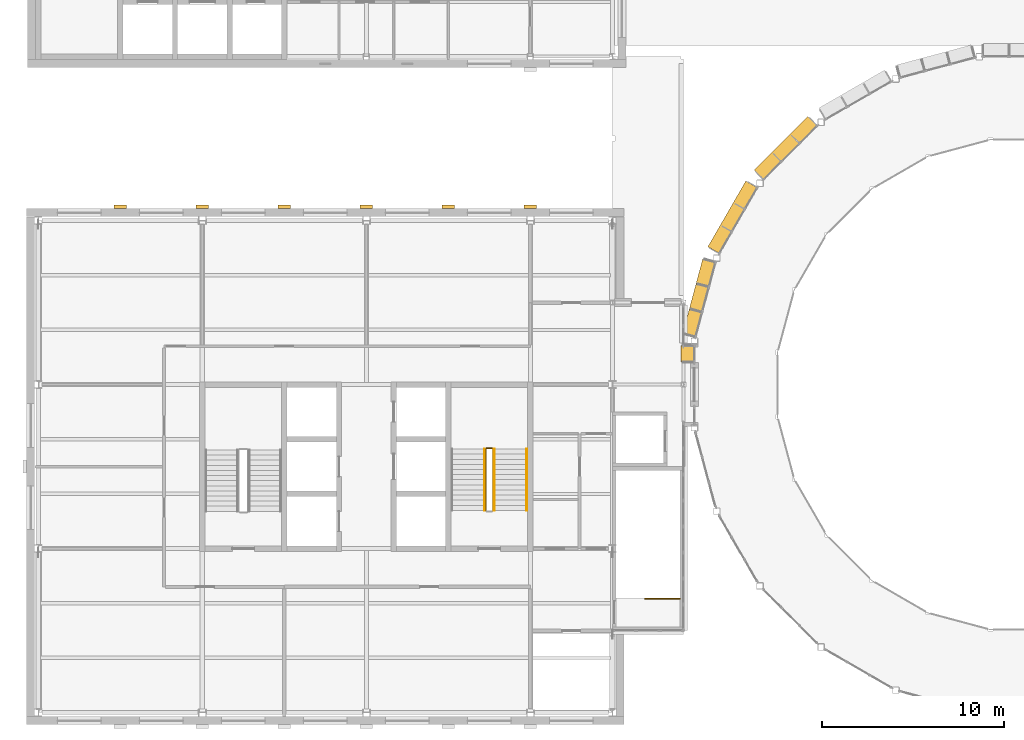
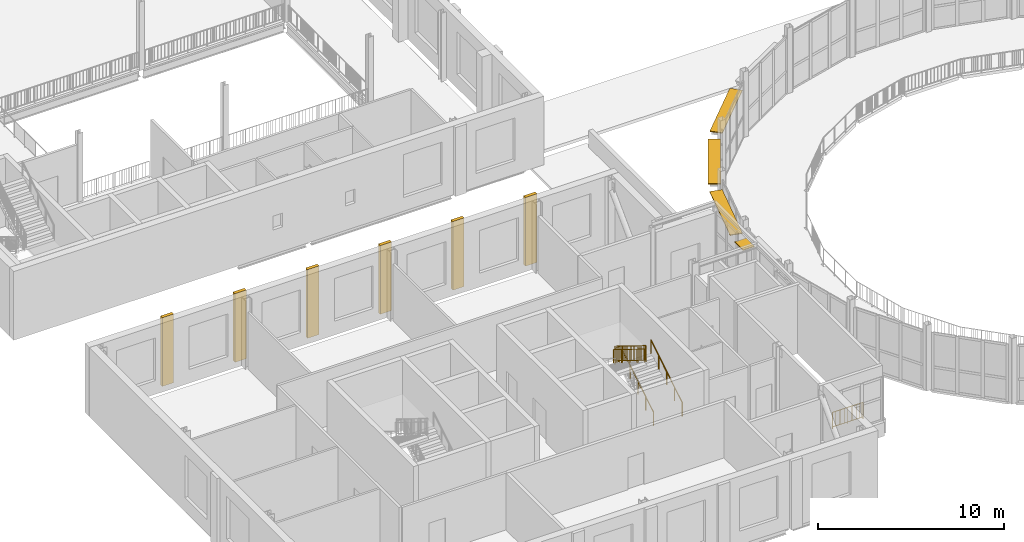
# One storey, part 63 of 74: 6 coverings, 6 railings, 4 shading devices.
"""IFC4 building model written with IfcOpenShell, lengths in metres."""

from ifc_helpers import new_model, si_unit, direction, frame, origin, origin_2d, place, context, subcontext, project, spatial, rectangle, circle, extrude, material, layer, layer_set, type_object, element, save


model = new_model("IFC4")

# Units and contexts
model_context = context("Model", 3, precision=1e-05, world=origin(), true_north=direction((0.0, 1.0)))
body_context = subcontext(model_context, "Body", "Model", "MODEL_VIEW")
ifc_project = project(units=[si_unit("LENGTHUNIT", "METRE"), si_unit("AREAUNIT", "SQUARE_METRE"), si_unit("VOLUMEUNIT", "CUBIC_METRE"), si_unit("PLANEANGLEUNIT", "RADIAN"), si_unit("MASSUNIT", "GRAM", prefix="KILO")], contexts=[model_context])

# Site, building, storey
site_placement = place(None, origin())
site = spatial("IfcSite", under=ifc_project, at=site_placement, CompositionType="ELEMENT")
building_placement = place(site_placement, origin())
building = spatial("IfcBuilding", under=site, at=building_placement, Name="Hortulan Conservatory and Botanical Research Centre", CompositionType="ELEMENT")
storey_placement = place(building_placement, frame((0.0, 0.0, 6.0)))
storey = spatial("IfcBuildingStorey", under=building, at=storey_placement, Name="L01", CompositionType="ELEMENT", Elevation=6.0)

# Shading devices
ifc_material_1 = material(Name="Bronze-finished perforated aluminium", Category="aluminium")
ifc_layer_1 = layer(ifc_material_1, 0.050048828125)
ifc_layer_set_1 = layer_set([ifc_layer_1], Name="Banksia Brise-soleil Blade 700x50")
shading_device_type = type_object("IfcShadingDeviceType", Name="Banksia Brise-soleil Blade 700x50", PredefinedType="USERDEFINED", material=ifc_layer_set_1)
shading_device_1_placement = place(storey_placement, frame((41.00341796875, 30.99658203125, 3.10009765625), z_axis=(0.0, 0.0, 1.0), x_axis=(0.707094439737, 0.70711912242, 0.0)))
element("IfcShadingDevice", 1, at=shading_device_1_placement, inside=storey, type_object=shading_device_type, Name="Banksia brise-soleil blade", ObjectType="Banksia blade", PredefinedType="USERDEFINED", context=body_context, shape_type="SweptSolid", body=[
    extrude(rectangle(XDim=4.1455078125, YDim=0.699951171875, at=origin_2d()), origin(), (0.0, 0.0, 1.0), 0.050048828125),
])
shading_device_2_placement = place(storey_placement, frame((38.08251953125, 27.18994140625, 3.10009765625), z_axis=(0.0, 0.0, 1.0), x_axis=(0.499981861897, 0.86603587557, 0.0)))
element("IfcShadingDevice", 2, at=shading_device_2_placement, inside=storey, type_object=shading_device_type, Name="Banksia brise-soleil blade", ObjectType="Banksia blade", PredefinedType="USERDEFINED", context=body_context, shape_type="SweptSolid", body=[
    extrude(rectangle(XDim=4.16064453125, YDim=0.699951171875, at=origin_2d()), origin(), (0.0, 0.0, 1.0), 0.050048828125),
])
shading_device_3_placement = place(storey_placement, frame((36.246337890625, 22.75732421875, 3.10009765625), z_axis=(0.0, 0.0, 1.0), x_axis=(0.258832531946, 0.965922212399, 0.0)))
element("IfcShadingDevice", 3, at=shading_device_3_placement, inside=storey, type_object=shading_device_type, Name="Banksia brise-soleil blade", ObjectType="Banksia blade", PredefinedType="USERDEFINED", context=body_context, shape_type="SweptSolid", body=[
    extrude(rectangle(XDim=4.2109375, YDim=0.699951171875, at=origin_2d()), origin(), (0.0, 0.0, 1.0), 0.050048828125),
])
shading_device_4_placement = place(storey_placement, frame((35.6201171875, 19.697509765625, 3.10009765625), z_axis=(0.0, 0.0, 1.0), x_axis=(0.0, 1.0, 0.0)))
element("IfcShadingDevice", 4, at=shading_device_4_placement, inside=storey, type_object=shading_device_type, Name="Banksia brise-soleil blade", ObjectType="Banksia blade", PredefinedType="USERDEFINED", context=body_context, shape_type="SweptSolid", body=[
    extrude(rectangle(XDim=0.89501953125, YDim=0.699951171875, at=origin_2d()), origin(), (0.0, 0.0, 1.0), 0.050048828125),
])

# Coverings
ifc_material_2 = material(Name="Sandstone masonry (Hawkesbury yellow block)", Category="masonry")
ifc_layer_2 = layer(ifc_material_2, 0.199951171875)
ifc_layer_set_2 = layer_set([ifc_layer_2], Name="Sandstone Pilaster 700x200")
covering_type = type_object("IfcCoveringType", Name="Sandstone Pilaster 700x200", PredefinedType="CLADDING", material=ifc_layer_set_2)
for number, where, z_axis, x_axis, name in (
    (5, (4.5, 27.760986328125, 0.0), (0.0, 0.0, 1.0), (1.0, 0.0, 0.0), "Pier"),
    (6, (9.0, 27.760986328125, 0.0), (0.0, 0.0, 1.0), (1.0, 0.0, 0.0), "Pier"),
    (7, (13.5, 27.760986328125, 0.0), (0.0, 0.0, 1.0), (1.0, 0.0, 0.0), "Pier"),
    (8, (18.0, 27.760986328125, 0.0), (0.0, 0.0, 1.0), (1.0, 0.0, 0.0), "Pier"),
    (9, (22.5, 27.760986328125, 0.0), (0.0, 0.0, 1.0), (1.0, 0.0, 0.0), "Pier"),
    (10, (27.0, 27.760986328125, 0.0), (0.0, 0.0, 1.0), (1.0, 0.0, 0.0), "Pier"),
):
    element("IfcCovering", number, at=place(storey_placement, frame(where, z_axis=z_axis, x_axis=x_axis)), inside=storey, type_object=covering_type, Name=name, PredefinedType="CLADDING", context=body_context, shape_type="SweptSolid", body=[
        extrude(rectangle(XDim=0.699951171875, YDim=0.199951171875, at=origin_2d()), origin(), (0.0, 0.0, 1.0), 4.5),
    ])

# Railings
ifc_material_3 = material(Name="Steel balustrade, bronze-charcoal paint", Category="steel")
railing_type_1 = type_object("IfcRailingType", Name="Stair Guard 1100", PredefinedType="GUARDRAIL", material=ifc_material_3)
railing_1_placement = place(storey_placement, frame((24.89990234375, 14.510009765625, 2.25)))
element("IfcRailing", 11, at=railing_1_placement, inside=storey, type_object=railing_type_1, Name="Guard T2 L01 stair 2", PredefinedType="GUARDRAIL", context=body_context, shape_type="SweptSolid", body=[
    extrude(circle(Radius=0.02392578125, at=origin_2d()), frame((0.0, 0.0, 1.076171875), z_axis=(-1.0, 0.0, 0.0), x_axis=(0.0, -1.0, 0.0)), (0.0, 0.0, 1.0), 0.2998046875),
    extrude(circle(Radius=0.02392578125, at=origin_2d()), frame((0.0, 0.0, 0.1240234375), z_axis=(-1.0, 0.0, 0.0), x_axis=(0.0, -1.0, 0.0)), (0.0, 0.0, 1.0), 0.2998046875),
    extrude(circle(Radius=0.008056640625, at=origin_2d()), frame((-0.099853515625, 0.0, 0.148193359375)), (0.0, 0.0, 1.0), 0.90380859375),
    extrude(circle(Radius=0.008056640625, at=origin_2d()), frame((-0.199951171875, 0.0, 0.148193359375)), (0.0, 0.0, 1.0), 0.90380859375),
    extrude(circle(Radius=0.02099609375, at=origin_2d()), origin(), (0.0, 0.0, 1.0), 1.052001953125),
    extrude(circle(Radius=0.02099609375, at=origin_2d()), frame((-0.2998046875, 0.0, 0.0)), (0.0, 0.0, 1.0), 1.052001953125),
])
railing_2_placement = place(storey_placement, frame((24.550048828125, 14.4599609375, 2.423095703125)))
element("IfcRailing", 12, at=railing_2_placement, inside=storey, type_object=railing_type_1, Name="Guard T2 L01 stair 3", PredefinedType="GUARDRAIL", context=body_context, shape_type="SweptSolid", body=[
    extrude(circle(Radius=0.02392578125, at=origin_2d()), frame((0.0, 0.0, 1.076171875), z_axis=(0.0, -0.850606129759, 0.525803396734), x_axis=(1.0, 0.0, 0.0)), (0.0, 0.0, 1.0), 3.949951171875),
    extrude(circle(Radius=0.02392578125, at=origin_2d()), frame((0.0, 0.0, 0.1240234375), z_axis=(0.0, -0.850606129759, 0.525803396734), x_axis=(1.0, 0.0, 0.0)), (0.0, 0.0, 1.0), 3.949951171875),
    extrude(circle(Radius=0.008056640625, at=origin_2d()), frame((0.0, -0.09326171875, 0.205810546875)), (0.0, 0.0, 1.0), 0.90380859375),
    extrude(circle(Radius=0.008056640625, at=origin_2d()), frame((0.0, -0.186767578125, 0.263671875)), (0.0, 0.0, 1.0), 0.90380859375),
    extrude(circle(Radius=0.008056640625, at=origin_2d()), frame((0.0, -0.280029296875, 0.3212890625)), (0.0, 0.0, 1.0), 0.90380859375),
    extrude(circle(Radius=0.008056640625, at=origin_2d()), frame((0.0, -0.373291015625, 0.37890625)), (0.0, 0.0, 1.0), 0.90380859375),
    extrude(circle(Radius=0.008056640625, at=origin_2d()), frame((0.0, -0.466552734375, 0.436767578125)), (0.0, 0.0, 1.0), 0.90380859375),
    extrude(circle(Radius=0.008056640625, at=origin_2d()), frame((0.0, -0.56005859375, 0.494384765625)), (0.0, 0.0, 1.0), 0.90380859375),
    extrude(circle(Radius=0.008056640625, at=origin_2d()), frame((0.0, -0.6533203125, 0.552001953125)), (0.0, 0.0, 1.0), 0.90380859375),
    extrude(circle(Radius=0.008056640625, at=origin_2d()), frame((0.0, -0.74658203125, 0.609619140625)), (0.0, 0.0, 1.0), 0.90380859375),
    extrude(circle(Radius=0.008056640625, at=origin_2d()), frame((0.0, -0.83984375, 0.66748046875)), (0.0, 0.0, 1.0), 0.90380859375),
    extrude(circle(Radius=0.008056640625, at=origin_2d()), frame((0.0, -0.933349609375, 0.72509765625)), (0.0, 0.0, 1.0), 0.90380859375),
    extrude(circle(Radius=0.008056640625, at=origin_2d()), frame((0.0, -1.026611328125, 0.78271484375)), (0.0, 0.0, 1.0), 0.90380859375),
    extrude(circle(Radius=0.008056640625, at=origin_2d()), frame((0.0, -1.119873046875, 0.840576171875)), (0.0, 0.0, 1.0), 0.90380859375),
    extrude(circle(Radius=0.008056640625, at=origin_2d()), frame((0.0, -1.21337890625, 0.898193359375)), (0.0, 0.0, 1.0), 0.90380859375),
    extrude(circle(Radius=0.008056640625, at=origin_2d()), frame((0.0, -1.306640625, 0.955810546875)), (0.0, 0.0, 1.0), 0.90380859375),
    extrude(circle(Radius=0.008056640625, at=origin_2d()), frame((0.0, -1.39990234375, 1.013671875)), (0.0, 0.0, 1.0), 0.90380859375),
    extrude(circle(Radius=0.008056640625, at=origin_2d()), frame((0.0, -1.4931640625, 1.0712890625)), (0.0, 0.0, 1.0), 0.90380859375),
    extrude(circle(Radius=0.008056640625, at=origin_2d()), frame((0.0, -1.586669921875, 1.12890625)), (0.0, 0.0, 1.0), 0.90380859375),
    extrude(circle(Radius=0.008056640625, at=origin_2d()), frame((0.0, -1.679931640625, 1.1865234375)), (0.0, 0.0, 1.0), 0.90380859375),
    extrude(circle(Radius=0.008056640625, at=origin_2d()), frame((0.0, -1.773193359375, 1.244384765625)), (0.0, 0.0, 1.0), 0.90380859375),
    extrude(circle(Radius=0.008056640625, at=origin_2d()), frame((0.0, -1.86669921875, 1.302001953125)), (0.0, 0.0, 1.0), 0.90380859375),
    extrude(circle(Radius=0.008056640625, at=origin_2d()), frame((0.0, -1.9599609375, 1.359619140625)), (0.0, 0.0, 1.0), 0.90380859375),
    extrude(circle(Radius=0.008056640625, at=origin_2d()), frame((0.0, -2.05322265625, 1.41748046875)), (0.0, 0.0, 1.0), 0.90380859375),
    extrude(circle(Radius=0.008056640625, at=origin_2d()), frame((0.0, -2.146484375, 1.47509765625)), (0.0, 0.0, 1.0), 0.90380859375),
    extrude(circle(Radius=0.008056640625, at=origin_2d()), frame((0.0, -2.239990234375, 1.53271484375)), (0.0, 0.0, 1.0), 0.90380859375),
    extrude(circle(Radius=0.008056640625, at=origin_2d()), frame((0.0, -2.333251953125, 1.590576171875)), (0.0, 0.0, 1.0), 0.90380859375),
    extrude(circle(Radius=0.008056640625, at=origin_2d()), frame((0.0, -2.426513671875, 1.648193359375)), (0.0, 0.0, 1.0), 0.90380859375),
    extrude(circle(Radius=0.008056640625, at=origin_2d()), frame((0.0, -2.52001953125, 1.705810546875)), (0.0, 0.0, 1.0), 0.90380859375),
    extrude(circle(Radius=0.008056640625, at=origin_2d()), frame((0.0, -2.61328125, 1.763671875)), (0.0, 0.0, 1.0), 0.90380859375),
    extrude(circle(Radius=0.008056640625, at=origin_2d()), frame((0.0, -2.70654296875, 1.8212890625)), (0.0, 0.0, 1.0), 0.90380859375),
    extrude(circle(Radius=0.008056640625, at=origin_2d()), frame((0.0, -2.7998046875, 1.87890625)), (0.0, 0.0, 1.0), 0.90380859375),
    extrude(circle(Radius=0.008056640625, at=origin_2d()), frame((0.0, -2.893310546875, 1.9365234375)), (0.0, 0.0, 1.0), 0.90380859375),
    extrude(circle(Radius=0.008056640625, at=origin_2d()), frame((0.0, -2.986572265625, 1.994384765625)), (0.0, 0.0, 1.0), 0.90380859375),
    extrude(circle(Radius=0.008056640625, at=origin_2d()), frame((0.0, -3.079833984375, 2.052001953125)), (0.0, 0.0, 1.0), 0.90380859375),
    extrude(circle(Radius=0.008056640625, at=origin_2d()), frame((0.0, -3.173095703125, 2.109619140625)), (0.0, 0.0, 1.0), 0.90380859375),
    extrude(circle(Radius=0.008056640625, at=origin_2d()), frame((0.0, -3.2666015625, 2.16748046875)), (0.0, 0.0, 1.0), 0.90380859375),
    extrude(circle(Radius=0.02099609375, at=origin_2d()), origin(), (0.0, 0.0, 1.0), 1.052001953125),
    extrude(circle(Radius=0.02099609375, at=origin_2d()), frame((0.0, -0.83984375, 0.519287109375)), (0.0, 0.0, 1.0), 1.052001953125),
    extrude(circle(Radius=0.02099609375, at=origin_2d()), frame((0.0, -1.679931640625, 1.03857421875)), (0.0, 0.0, 1.0), 1.052001953125),
    extrude(circle(Radius=0.02099609375, at=origin_2d()), frame((0.0, -2.52001953125, 1.5576171875)), (0.0, 0.0, 1.0), 1.052001953125),
    extrude(circle(Radius=0.02099609375, at=origin_2d()), frame((0.0, -3.35986328125, 2.076904296875)), (0.0, 0.0, 1.0), 1.052001953125),
])
railing_3_placement = place(storey_placement, frame((35.199951171875, 6.25, 0.0)))
element("IfcRailing", 13, at=railing_3_placement, inside=storey, type_object=railing_type_1, Name="Guard SHW L01 stair well 1", PredefinedType="GUARDRAIL", context=body_context, shape_type="SweptSolid", body=[
    extrude(circle(Radius=0.02392578125, at=origin_2d()), frame((0.0, 0.0, 1.076171875), z_axis=(-1.0, 0.0, 0.0), x_axis=(0.0, -1.0, 0.0)), (0.0, 0.0, 1.0), 1.89990234375),
    extrude(circle(Radius=0.02392578125, at=origin_2d()), frame((0.0, 0.0, 0.1240234375), z_axis=(-1.0, 0.0, 0.0), x_axis=(0.0, -1.0, 0.0)), (0.0, 0.0, 1.0), 1.89990234375),
    extrude(circle(Radius=0.008056640625, at=origin_2d()), frame((-0.10546875, 0.0, 0.148193359375)), (0.0, 0.0, 1.0), 0.90380859375),
    extrude(circle(Radius=0.008056640625, at=origin_2d()), frame((-0.211181640625, 0.0, 0.148193359375)), (0.0, 0.0, 1.0), 0.90380859375),
    extrude(circle(Radius=0.008056640625, at=origin_2d()), frame((-0.316650390625, 0.0, 0.148193359375)), (0.0, 0.0, 1.0), 0.90380859375),
    extrude(circle(Radius=0.008056640625, at=origin_2d()), frame((-0.422119140625, 0.0, 0.148193359375)), (0.0, 0.0, 1.0), 0.90380859375),
    extrude(circle(Radius=0.008056640625, at=origin_2d()), frame((-0.52783203125, 0.0, 0.148193359375)), (0.0, 0.0, 1.0), 0.90380859375),
    extrude(circle(Radius=0.008056640625, at=origin_2d()), frame((-0.63330078125, 0.0, 0.148193359375)), (0.0, 0.0, 1.0), 0.90380859375),
    extrude(circle(Radius=0.008056640625, at=origin_2d()), frame((-0.73876953125, 0.0, 0.148193359375)), (0.0, 0.0, 1.0), 0.90380859375),
    extrude(circle(Radius=0.008056640625, at=origin_2d()), frame((-0.844482421875, 0.0, 0.148193359375)), (0.0, 0.0, 1.0), 0.90380859375),
    extrude(circle(Radius=0.008056640625, at=origin_2d()), frame((-0.949951171875, 0.0, 0.148193359375)), (0.0, 0.0, 1.0), 0.90380859375),
    extrude(circle(Radius=0.008056640625, at=origin_2d()), frame((-1.055419921875, 0.0, 0.148193359375)), (0.0, 0.0, 1.0), 0.90380859375),
    extrude(circle(Radius=0.008056640625, at=origin_2d()), frame((-1.1611328125, 0.0, 0.148193359375)), (0.0, 0.0, 1.0), 0.90380859375),
    extrude(circle(Radius=0.008056640625, at=origin_2d()), frame((-1.2666015625, 0.0, 0.148193359375)), (0.0, 0.0, 1.0), 0.90380859375),
    extrude(circle(Radius=0.008056640625, at=origin_2d()), frame((-1.3720703125, 0.0, 0.148193359375)), (0.0, 0.0, 1.0), 0.90380859375),
    extrude(circle(Radius=0.008056640625, at=origin_2d()), frame((-1.477783203125, 0.0, 0.148193359375)), (0.0, 0.0, 1.0), 0.90380859375),
    extrude(circle(Radius=0.008056640625, at=origin_2d()), frame((-1.583251953125, 0.0, 0.148193359375)), (0.0, 0.0, 1.0), 0.90380859375),
    extrude(circle(Radius=0.008056640625, at=origin_2d()), frame((-1.688720703125, 0.0, 0.148193359375)), (0.0, 0.0, 1.0), 0.90380859375),
    extrude(circle(Radius=0.008056640625, at=origin_2d()), frame((-1.79443359375, 0.0, 0.148193359375)), (0.0, 0.0, 1.0), 0.90380859375),
    extrude(circle(Radius=0.02099609375, at=origin_2d()), origin(), (0.0, 0.0, 1.0), 1.052001953125),
    extrude(circle(Radius=0.02099609375, at=origin_2d()), frame((-0.949951171875, 0.0, 0.0)), (0.0, 0.0, 1.0), 1.052001953125),
    extrude(circle(Radius=0.02099609375, at=origin_2d()), frame((-1.89990234375, 0.0, 0.0)), (0.0, 0.0, 1.0), 1.052001953125),
])
ifc_material_4 = material(Name="Bronze handrail, polished", Category="metal")
railing_type_2 = type_object("IfcRailingType", Name="Stair Handrail 900", PredefinedType="HANDRAIL", material=ifc_material_4)
for number, where, name in (
    (14, (26.800048828125, 11.10009765625, 0.173095703125), "Handrail T2 L01 stair 1"),
    (15, (25.02001953125, 11.10009765625, 0.173095703125), "Handrail T2 L01 stair 3"),
):
    element("IfcRailing", number, at=place(storey_placement, frame(where)), inside=storey, type_object=railing_type_2, Name=name, PredefinedType="HANDRAIL", context=body_context, shape_type="SweptSolid", body=[
        extrude(circle(Radius=0.02392578125, at=origin_2d()), frame((0.0, 0.0, 0.8759765625), z_axis=(0.0, 0.850606129759, 0.525803396734), x_axis=(-1.0, 0.0, 0.0)), (0.0, 0.0, 1.0), 3.949951171875),
        extrude(circle(Radius=0.02099609375, at=origin_2d()), origin(), (0.0, 0.0, 1.0), 0.851806640625),
        extrude(circle(Radius=0.02099609375, at=origin_2d()), frame((0.0, 0.83984375, 0.519287109375)), (0.0, 0.0, 1.0), 0.851806640625),
        extrude(circle(Radius=0.02099609375, at=origin_2d()), frame((0.0, 1.679931640625, 1.03857421875)), (0.0, 0.0, 1.0), 0.851806640625),
        extrude(circle(Radius=0.02099609375, at=origin_2d()), frame((0.0, 2.52001953125, 1.5576171875)), (0.0, 0.0, 1.0), 0.851806640625),
        extrude(circle(Radius=0.02099609375, at=origin_2d()), frame((0.0, 3.35986328125, 2.076904296875)), (0.0, 0.0, 1.0), 0.851806640625),
    ])
railing_4_placement = place(storey_placement, frame((24.47998046875, 14.4599609375, 2.423095703125)))
element("IfcRailing", 16, at=railing_4_placement, inside=storey, type_object=railing_type_2, Name="Handrail T2 L01 stair 4", PredefinedType="HANDRAIL", context=body_context, shape_type="SweptSolid", body=[
    extrude(circle(Radius=0.02392578125, at=origin_2d()), frame((0.0, 0.0, 0.8759765625), z_axis=(0.0, -0.850606129759, 0.525803396734), x_axis=(1.0, 0.0, 0.0)), (0.0, 0.0, 1.0), 3.949951171875),
    extrude(circle(Radius=0.02099609375, at=origin_2d()), origin(), (0.0, 0.0, 1.0), 0.851806640625),
    extrude(circle(Radius=0.02099609375, at=origin_2d()), frame((0.0, -0.83984375, 0.519287109375)), (0.0, 0.0, 1.0), 0.851806640625),
    extrude(circle(Radius=0.02099609375, at=origin_2d()), frame((0.0, -1.679931640625, 1.03857421875)), (0.0, 0.0, 1.0), 0.851806640625),
    extrude(circle(Radius=0.02099609375, at=origin_2d()), frame((0.0, -2.52001953125, 1.5576171875)), (0.0, 0.0, 1.0), 0.851806640625),
    extrude(circle(Radius=0.02099609375, at=origin_2d()), frame((0.0, -3.35986328125, 2.076904296875)), (0.0, 0.0, 1.0), 0.851806640625),
])

save(model, "model.ifc")
